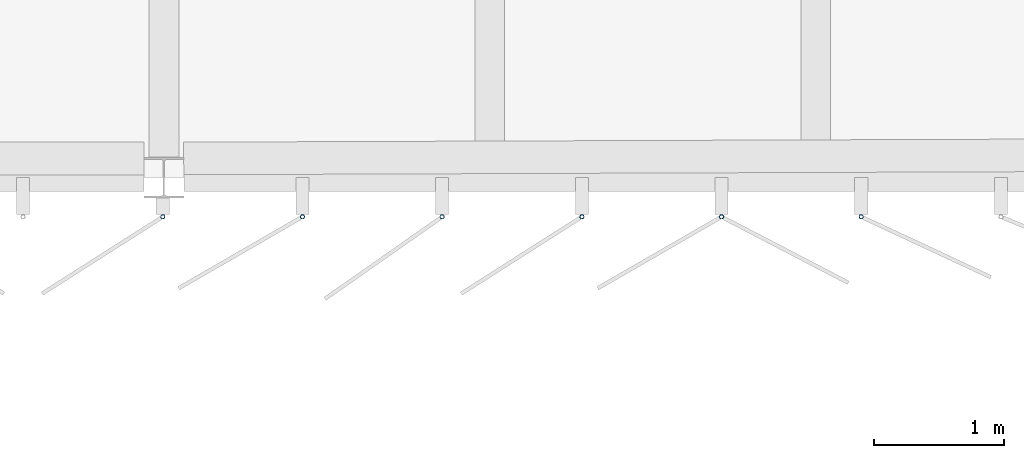
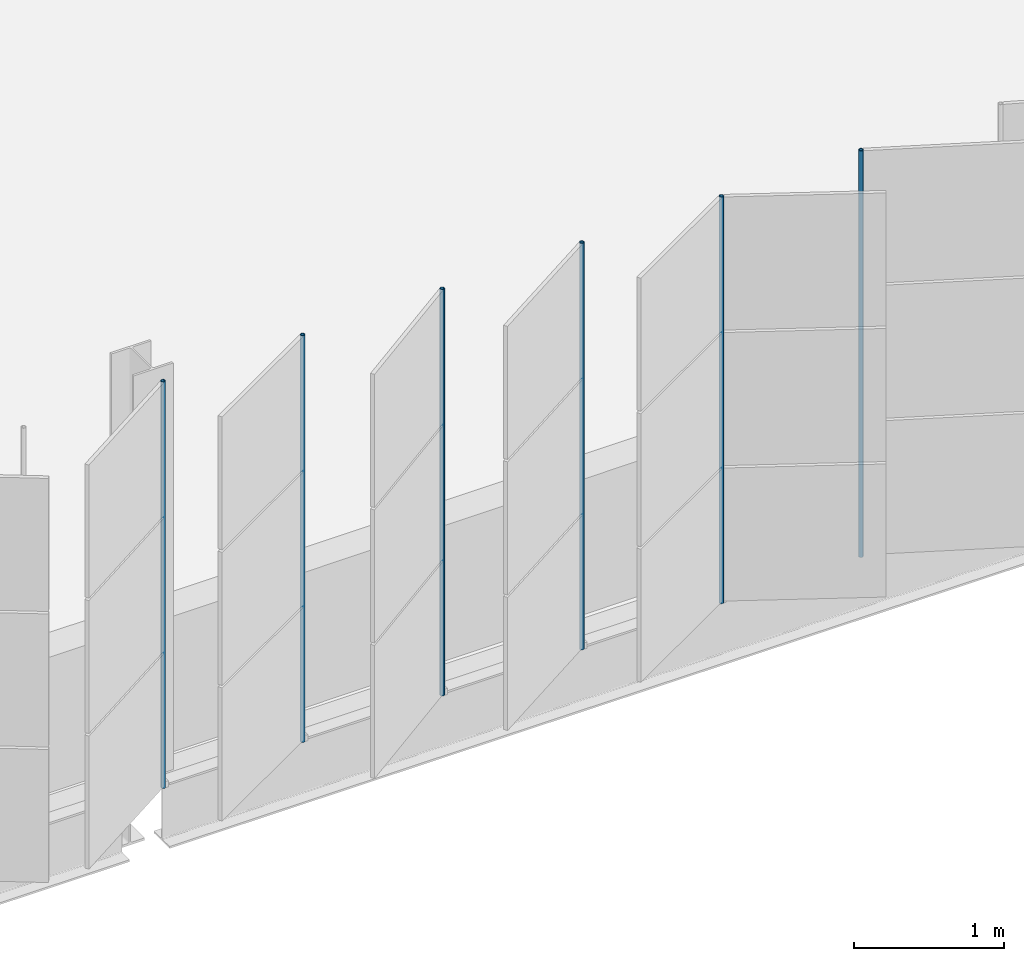
# One storey, part 99 of 214: 6 discrete accessories.
"""IFC4 building model written with IfcOpenShell, lengths in metres."""

from ifc_helpers import new_model, si_unit, direction, frame, origin, origin_2d, place, context, subcontext, project, spatial, hollow_circle, extrude, material, material_profile, profile_set, type_object, element, save


model = new_model("IFC4")

# Units and contexts
model_context = context("Model", 3, precision=1e-05, world=origin(), true_north=direction((0.0, 1.0)))
body_context = subcontext(model_context, "Body", "Model", "MODEL_VIEW")
ifc_project = project(units=[si_unit("LENGTHUNIT", "METRE"), si_unit("AREAUNIT", "SQUARE_METRE"), si_unit("VOLUMEUNIT", "CUBIC_METRE"), si_unit("PLANEANGLEUNIT", "RADIAN"), si_unit("MASSUNIT", "GRAM", prefix="KILO")], contexts=[model_context])

# Site, building, storey
site_placement = place(None, origin())
site = spatial("IfcSite", under=ifc_project, at=site_placement, CompositionType="ELEMENT")
building_placement = place(site_placement, origin())
building = spatial("IfcBuilding", under=site, at=building_placement, Name="Parallax Yard Mobility Hub", CompositionType="ELEMENT")
storey_placement = place(building_placement, frame((0.0, 0.0, 3.300048828125)))
storey = spatial("IfcBuildingStorey", under=building, at=storey_placement, Name="L01", CompositionType="ELEMENT", Elevation=3.300048828125)

# Discrete accessories
ifc_material = material(Name="Steel ASTM A500 Gr C, hot-dip galvanised", Category="steel")
ifc_material_profile = material_profile(ifc_material, hollow_circle(Radius=0.016845703125, WallThickness=0.003173828125, at=origin_2d()), Name="CHS 33.7x3.2")
ifc_profile_set = profile_set([ifc_material_profile], Name="Steel ASTM A500 Gr C, hot-dip galvanised")
discrete_accessory_type = type_object("IfcDiscreteAccessoryType", Name="Hinge post CHS 33.7x3.2", PredefinedType="BRACKET", material=ifc_profile_set)
for number, where, z_axis, x_axis, name in (
    (1, (112.490966796875, 112.199951171875, 0.0), (0.0, 0.0, 1.0), (1.0, 0.0, 0.0), "Hinge post bay 11.1 level L01"),
    (2, (113.5625, 112.199951171875, 0.0), (0.0, 0.0, 1.0), (1.0, 0.0, 0.0), "Hinge post bay 11.2 level L01"),
    (3, (114.634033203125, 112.199951171875, 0.0), (0.0, 0.0, 1.0), (1.0, 0.0, 0.0), "Hinge post bay 11.3 level L01"),
    (4, (115.70556640625, 112.199951171875, 0.0), (0.0, 0.0, 1.0), (1.0, 0.0, 0.0), "Hinge post bay 11.4 level L01"),
    (5, (116.777099609375, 112.199951171875, 0.0), (0.0, 0.0, 1.0), (1.0, 0.0, 0.0), "Hinge post bay 11.5 level L01"),
    (6, (117.848388671875, 112.199951171875, 0.0), (0.0, 0.0, 1.0), (1.0, 0.0, 0.0), "Hinge post bay 11.6 level L01"),
):
    element("IfcDiscreteAccessory", number, at=place(storey_placement, frame(where, z_axis=z_axis, x_axis=x_axis)), inside=storey, type_object=discrete_accessory_type, Name=name, PredefinedType="BRACKET", context=body_context, shape_type="SweptSolid", body=[
        extrude(hollow_circle(Radius=0.016845703125, WallThickness=0.003173828125, at=origin_2d()), origin(), (0.0, 0.0, 1.0), 3.300048828125),
    ])

save(model, "model.ifc")
